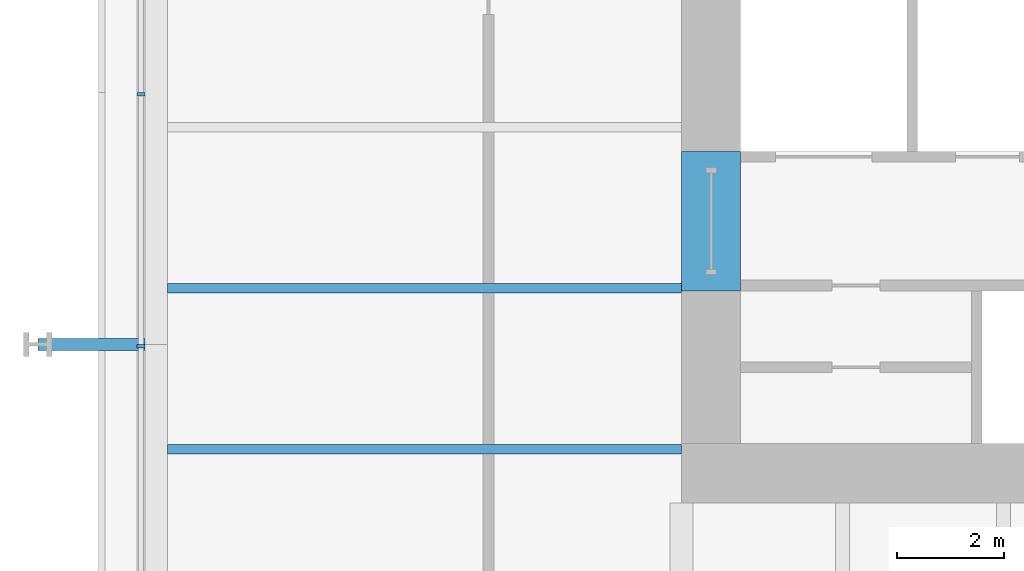
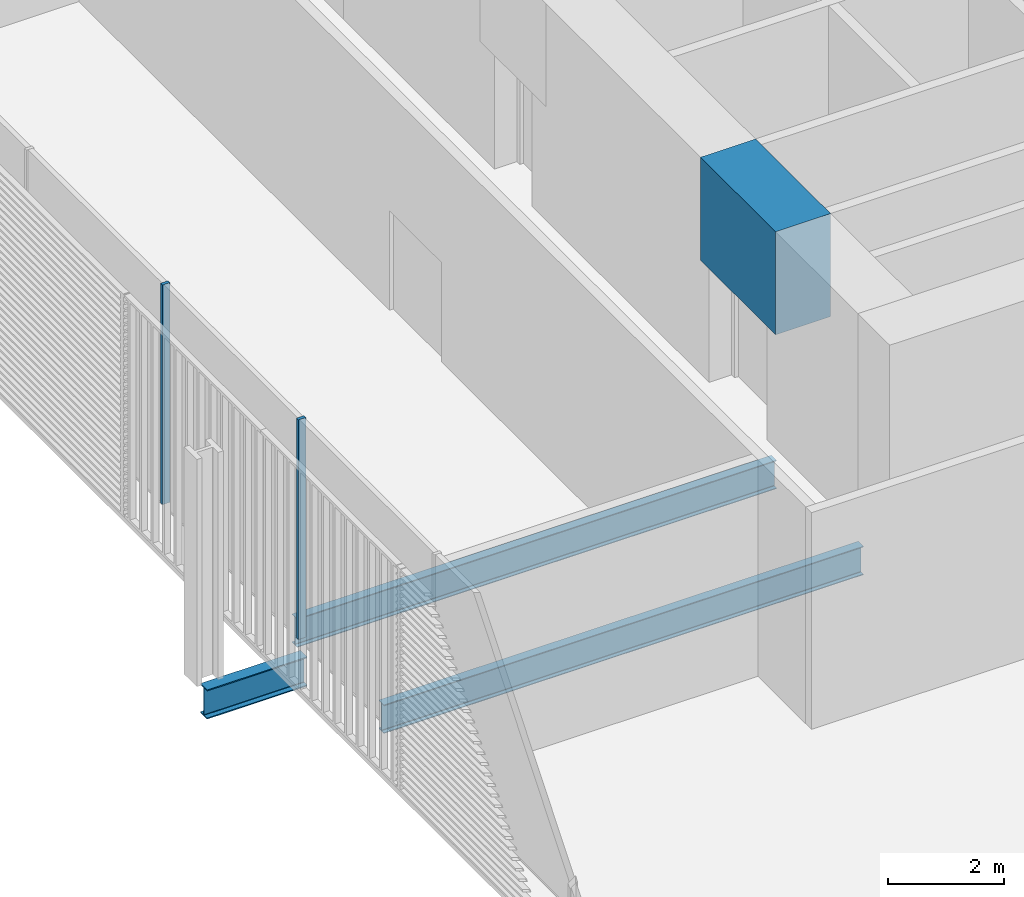
# One storey, part 5 of 22: 4 beams, 2 members, 1 element without a shape of its own.
"""IFC4 building model written with IfcOpenShell, lengths in metres."""

from ifc_helpers import new_model, si_unit, direction, frame, origin, origin_2d, place, context, subcontext, project, spatial, rectangle, i_section, extrude, material, layer, layer_set, material_profile, profile_set, type_object, element, aggregate, save


model = new_model("IFC4")

# Units and contexts
model_context = context("Model", 3, precision=1e-05, world=origin(), true_north=direction((0.0, 1.0)))
body_context = subcontext(model_context, "Body", "Model", "MODEL_VIEW")
ifc_project = project(units=[si_unit("LENGTHUNIT", "METRE"), si_unit("AREAUNIT", "SQUARE_METRE"), si_unit("VOLUMEUNIT", "CUBIC_METRE"), si_unit("PLANEANGLEUNIT", "RADIAN"), si_unit("MASSUNIT", "GRAM", prefix="KILO")], contexts=[model_context])

# Site, building, storey
site_placement = place(None, origin())
site = spatial("IfcSite", under=ifc_project, at=site_placement, CompositionType="ELEMENT")
building_placement = place(site_placement, origin())
building = spatial("IfcBuilding", under=site, at=building_placement, Name="Millrace Tower", CompositionType="ELEMENT")
storey_placement = place(building_placement, frame((0.0, 0.0, 40.10009765625)))
storey = spatial("IfcBuildingStorey", under=building, at=storey_placement, Name="L09", CompositionType="ELEMENT", Elevation=40.10009765625)

# Curtain wall, members
ifc_material_1 = material(Name="Aluminium and glass", Category="aluminium")
ifc_layer = layer(ifc_material_1, 0.14990234375)
ifc_layer_set = layer_set([ifc_layer], Name="Aluminium and glass")
curtain_wall_type = type_object("IfcCurtainWallType", Name="CW-2 data hall insulated curtain wall", PredefinedType="NOTDEFINED", material=ifc_layer_set)
curtain_wall_placement = place(storey_placement, origin())
curtain_wall = element("IfcCurtainWall", 1, at=curtain_wall_placement, inside=storey, type_object=curtain_wall_type, Name="Curtain wall A-F08 L09", PredefinedType="NOTDEFINED")
ifc_material_2 = material(Name="Aluminium", Category="aluminium")
ifc_material_profile_1 = material_profile(ifc_material_2, rectangle(XDim=0.06494140625, YDim=0.14990234375, at=origin_2d()))
ifc_profile_set_1 = profile_set([ifc_material_profile_1], Name="Aluminium")
member_type = type_object("IfcMemberType", Name="CW-2 data hall insulated curtain wall mullion", PredefinedType="MULLION", material=ifc_profile_set_1)
member_1_placement = place(storey_placement, frame((-25.074951171875, -2.382568359375, 0.159912109375), z_axis=(0.0, 0.0, 1.0), x_axis=(0.0, -1.0, 0.0)))
member_1 = element("IfcMember", 2, at=member_1_placement, type_object=member_type, Name="CW2 mullion A-F08.6", PredefinedType="MULLION", context=body_context, shape_type="SweptSolid", body=[
    extrude(rectangle(XDim=0.06494140625, YDim=0.14990234375, at=origin_2d()), origin(), (0.0, 0.0, 1.0), 4.639892578125),
])
member_2_placement = place(storey_placement, frame((-25.074951171875, -7.08251953125, 0.159912109375), z_axis=(0.0, 0.0, 1.0), x_axis=(0.0, -1.0, 0.0)))
member_2 = element("IfcMember", 3, at=member_2_placement, type_object=member_type, Name="CW2 mullion A-F08.7", PredefinedType="MULLION", context=body_context, shape_type="SweptSolid", body=[
    extrude(rectangle(XDim=0.06494140625, YDim=0.14990234375, at=origin_2d()), origin(), (0.0, 0.0, 1.0), 4.639892578125),
])
aggregate(curtain_wall, [member_1, member_2])

# Beams
ifc_material_3 = material(Name="Concrete C80", Category="concrete")
ifc_material_profile_2 = material_profile(ifc_material_3, rectangle(XDim=1.10009765625, YDim=2.175048828125, at=origin_2d()))
ifc_profile_set_2 = profile_set([ifc_material_profile_2], Name="Concrete C80")
beam_type_1 = type_object("IfcBeamType", Name="Coupling beam 1100 x 2175 Concrete C80, 2000 opening", PredefinedType="BEAM", material=ifc_profile_set_2)
beam_1_placement = place(storey_placement, frame((-14.449951171875, -6.050048828125, 3.4873046875), z_axis=(0.0, 1.0, 0.0), x_axis=(-1.0, 0.0, 0.0)))
element("IfcBeam", 4, at=beam_1_placement, inside=storey, type_object=beam_type_1, Name="Coupling beam W L09", PredefinedType="BEAM", context=body_context, shape_type="SweptSolid", body=[
    extrude(rectangle(XDim=1.10009765625, YDim=2.175048828125, at=origin_2d()), origin(), (0.0, 0.0, 1.0), 2.60009765625),
])
ifc_material_4 = material(Name="Steel ASTM A992 Grade 50", Category="steel")
ifc_material_profile_3 = material_profile(ifc_material_4, i_section(OverallWidth=0.1787109375, OverallDepth=0.60205078125, WebThickness=0.010986328125, FlangeThickness=0.014892578125, FilletRadius=0.0126953125, at=origin_2d()))
ifc_profile_set_3 = profile_set([ifc_material_profile_3], Name="Steel ASTM A992 Grade 50")
beam_type_2 = type_object("IfcBeamType", Name="Floor beam W24x62", PredefinedType="JOIST", material=ifc_profile_set_3)
for number, where, z_axis, x_axis, name in (
    (5, (-24.578369140625, -9.0, -0.526123046875), (1.0, 0.0, 0.0), (0.0, 1.0, 0.0), "BM-A-L09-S1-S012"),
    (6, (-24.578369140625, -6.0, -0.526123046875), (1.0, 0.0, 0.0), (0.0, 1.0, 0.0), "BM-A-L09-S1-S015"),
):
    element("IfcBeam", number, at=place(storey_placement, frame(where, z_axis=z_axis, x_axis=x_axis)), inside=storey, type_object=beam_type_2, Name=name, PredefinedType="JOIST", context=body_context, shape_type="SweptSolid", body=[
        extrude(i_section(OverallWidth=0.1787109375, OverallDepth=0.60205078125, WebThickness=0.010986328125, FlangeThickness=0.014892578125, FilletRadius=0.0126953125, at=origin_2d()), origin(), (0.0, 0.0, 1.0), 9.578369140625),
    ])
ifc_material_5 = material(Name="Steel ASTM A992 Grade 50", Category="steel")
ifc_material_profile_4 = material_profile(ifc_material_5, i_section(OverallWidth=0.23046875, OverallDepth=0.6171875, WebThickness=0.01318359375, FlangeThickness=0.022216796875, FilletRadius=0.012939453125, at=origin_2d()))
ifc_profile_set_4 = profile_set([ifc_material_profile_4], Name="Steel ASTM A992 Grade 50")
beam_type_3 = type_object("IfcBeamType", Name="Link beam W24x94", PredefinedType="BEAM", material=ifc_profile_set_4)
beam_2_placement = place(storey_placement, frame((-25.0, -7.050048828125, -0.53369140625), z_axis=(-1.0, 0.0, 0.0), x_axis=(0.0, -1.0, 0.0)))
element("IfcBeam", 7, at=beam_2_placement, inside=storey, type_object=beam_type_3, Name="LNK-A-L09-S1-02", PredefinedType="BEAM", context=body_context, shape_type="SweptSolid", body=[
    extrude(i_section(OverallWidth=0.23046875, OverallDepth=0.6171875, WebThickness=0.01318359375, FlangeThickness=0.022216796875, FilletRadius=0.012939453125, at=origin_2d()), origin(), (0.0, 0.0, 1.0), 2.0),
])

save(model, "model.ifc")
